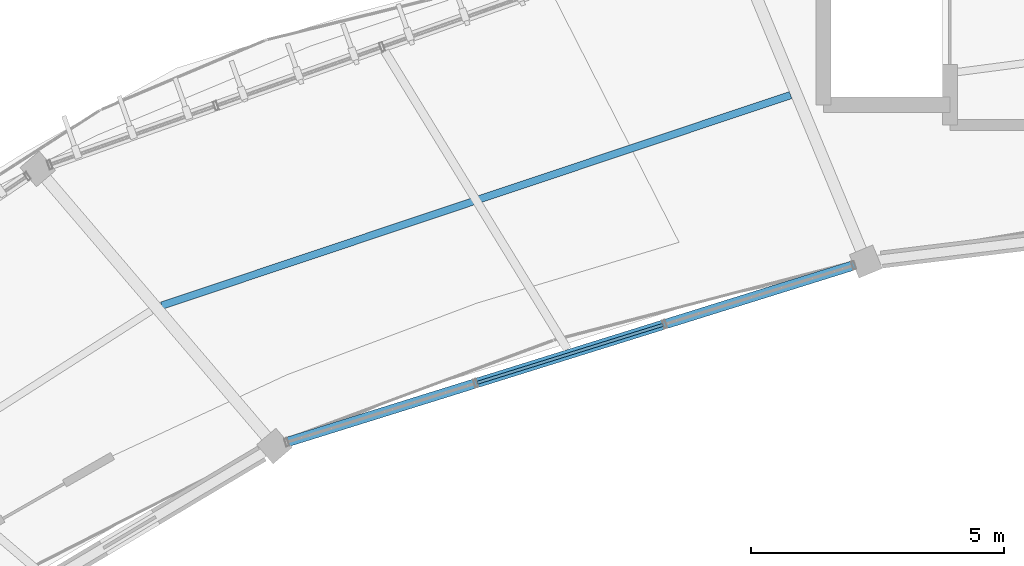
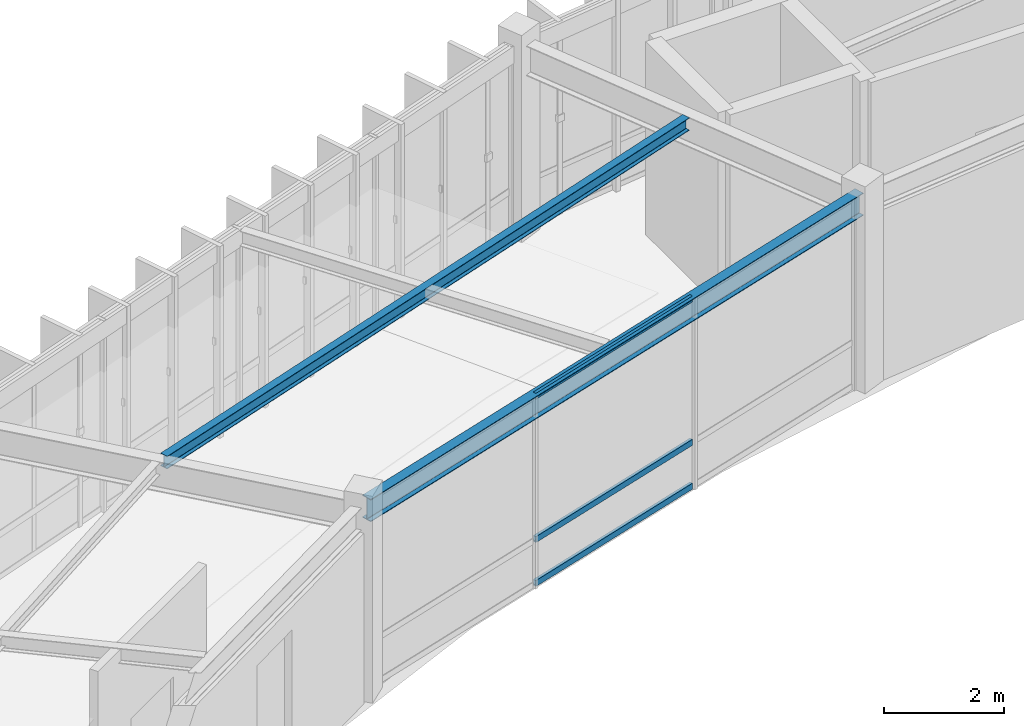
# One storey, part 31 of 78: 3 members, 2 beams, 1 element without a shape of its own.
"""IFC4 building model written with IfcOpenShell, lengths in metres."""

from ifc_helpers import new_model, si_unit, direction, frame, origin, origin_2d, place, context, subcontext, project, spatial, hollow_rectangle, i_section, extrude, material, material_profile, profile_set, type_object, element, aggregate, save


model = new_model("IFC4")

# Units and contexts
model_context = context("Model", 3, precision=1e-05, world=origin(), true_north=direction((0.0, 1.0)))
body_context = subcontext(model_context, "Body", "Model", "MODEL_VIEW")
ifc_project = project(units=[si_unit("LENGTHUNIT", "METRE"), si_unit("AREAUNIT", "SQUARE_METRE"), si_unit("VOLUMEUNIT", "CUBIC_METRE"), si_unit("PLANEANGLEUNIT", "RADIAN"), si_unit("MASSUNIT", "GRAM", prefix="KILO"), si_unit("THERMODYNAMICTEMPERATUREUNIT", "KELVIN"), si_unit("POWERUNIT", "WATT")], contexts=[model_context])

# Site, building, storey
site_placement = place(None, origin())
site = spatial("IfcSite", under=ifc_project, at=site_placement, CompositionType="ELEMENT")
building_placement = place(site_placement, origin())
building = spatial("IfcBuilding", under=site, at=building_placement, Name="Darbajah Civic Hall", CompositionType="ELEMENT")
storey_placement = place(building_placement, frame((0.0, 0.0, 26.39990234375)))
storey = spatial("IfcBuildingStorey", under=building, at=storey_placement, Name="L06", CompositionType="ELEMENT", Elevation=26.39990234375)

# Curtain wall, members
ifc_material_1 = material(Name="Anodised Bronze Aluminium and Low-E Glazing", Category="aluminium")
curtain_wall_type = type_object("IfcCurtainWallType", Name="Unitised Curtain Wall CW-67 11700x3900", PredefinedType="USERDEFINED", material=ifc_material_1)
curtain_wall_placement = place(storey_placement, origin())
curtain_wall = element("IfcCurtainWall", 1, at=curtain_wall_placement, inside=storey, type_object=curtain_wall_type, Name="L06 unitised curtain wall CW-V1I-L06-06", ObjectType="UNITISED CURTAIN WALL", PredefinedType="USERDEFINED")
ifc_material_2 = material(Name="Anodised Bronze Aluminium", Category="aluminium")
ifc_material_profile_1 = material_profile(ifc_material_2, hollow_rectangle(XDim=0.06005859375, YDim=0.1201171875, WallThickness=0.003173828125, at=origin_2d()), Name="ALU TRANSOM 60x120")
ifc_profile_set_1 = profile_set([ifc_material_profile_1], Name="Anodised Bronze Aluminium")
member_type = type_object("IfcMemberType", Name="ALU TRANSOM 60x120", PredefinedType="USERDEFINED", material=ifc_profile_set_1)
member_1_placement = place(storey_placement, frame((68.330078125, 109.15185546875, 0.06005859375), z_axis=(-0.954631377136, -0.297790083428, 0.0), x_axis=(0.297790083428, -0.954631377136, 0.0)))
member_1 = element("IfcMember", 2, at=member_1_placement, type_object=member_type, Name="CW-V1I-L06-06 transom 2.1", ObjectType="TRANSOM", PredefinedType="USERDEFINED", context=body_context, shape_type="SweptSolid", body=[
    extrude(hollow_rectangle(XDim=0.06005859375, YDim=0.1201171875, WallThickness=0.003173828125, at=origin_2d()), origin(), (0.0, 0.0, 1.0), 3.841796875),
])
member_2_placement = place(storey_placement, frame((68.330078125, 109.15185546875, 0.9501953125), z_axis=(-0.954631377136, -0.297790083428, 0.0), x_axis=(0.297790083428, -0.954631377136, 0.0)))
member_2 = element("IfcMember", 3, at=member_2_placement, type_object=member_type, Name="CW-V1I-L06-06 transom 2.2", ObjectType="TRANSOM", PredefinedType="USERDEFINED", context=body_context, shape_type="SweptSolid", body=[
    extrude(hollow_rectangle(XDim=0.06005859375, YDim=0.1201171875, WallThickness=0.003173828125, at=origin_2d()), origin(), (0.0, 0.0, 1.0), 3.841796875),
])
member_3_placement = place(storey_placement, frame((68.330078125, 109.15185546875, 3.860107421875), z_axis=(-0.954631377136, -0.297790083428, 0.0), x_axis=(0.297790083428, -0.954631377136, 0.0)))
member_3 = element("IfcMember", 4, at=member_3_placement, type_object=member_type, Name="CW-V1I-L06-06 transom 2.3", ObjectType="TRANSOM", PredefinedType="USERDEFINED", context=body_context, shape_type="SweptSolid", body=[
    extrude(hollow_rectangle(XDim=0.06005859375, YDim=0.1201171875, WallThickness=0.003173828125, at=origin_2d()), origin(), (0.0, 0.0, 1.0), 3.841796875),
])
aggregate(curtain_wall, [member_1, member_2, member_3])

# Beams
ifc_material_3 = material(Name="Steel S355JR", Category="steel")
ifc_material_profile_2 = material_profile(ifc_material_3, i_section(OverallWidth=0.146484375, OverallDepth=0.256103515625, WebThickness=0.00634765625, FlangeThickness=0.010986328125, FilletRadius=0.007568359375, at=origin_2d()), Name="UB 254x146x37")
ifc_profile_set_2 = profile_set([ifc_material_profile_2], Name="Steel S355JR")
beam_type_1 = type_object("IfcBeamType", Name="UB 254x146x37", PredefinedType="JOIST", material=ifc_profile_set_2)
beam_1_placement = place(storey_placement, frame((70.850830078125, 113.691650390625, 3.7919921875), z_axis=(-0.948257615403, -0.317501960357, 0.0), x_axis=(0.317501960357, -0.948257615403, 0.0)))
element("IfcBeam", 5, at=beam_1_placement, inside=storey, type_object=beam_type_1, Name="L06 beam SJ-254", PredefinedType="JOIST", context=body_context, shape_type="SweptSolid", body=[
    extrude(i_section(OverallWidth=0.146484375, OverallDepth=0.256103515625, WebThickness=0.00634765625, FlangeThickness=0.010986328125, FilletRadius=0.007568359375, at=origin_2d()), origin(), (0.0, 0.0, 1.0), 13.102783203125),
])
ifc_material_profile_3 = material_profile(ifc_material_3, i_section(OverallWidth=0.1904296875, OverallDepth=0.45703125, WebThickness=0.009033203125, FlangeThickness=0.014404296875, FilletRadius=0.01025390625, at=origin_2d()), Name="UB 457x191x74")
ifc_profile_set_3 = profile_set([ifc_material_profile_3], Name="Steel S355JR")
beam_type_2 = type_object("IfcBeamType", Name="UB 457x191x74", PredefinedType="BEAM", material=ifc_profile_set_3)
beam_2_placement = place(storey_placement, frame((72.26220703125, 110.378662109375, 3.691650390625), z_axis=(-0.954619766764, -0.297827300468, 0.0), x_axis=(0.297827300468, -0.954619766764, 0.0)))
element("IfcBeam", 6, at=beam_2_placement, inside=storey, type_object=beam_type_2, Name="L06 beam SB-457", PredefinedType="BEAM", context=body_context, shape_type="SweptSolid", body=[
    extrude(i_section(OverallWidth=0.1904296875, OverallDepth=0.45703125, WebThickness=0.009033203125, FlangeThickness=0.014404296875, FilletRadius=0.01025390625, at=origin_2d()), origin(), (0.0, 0.0, 1.0), 12.07958984375),
])

save(model, "model.ifc")
